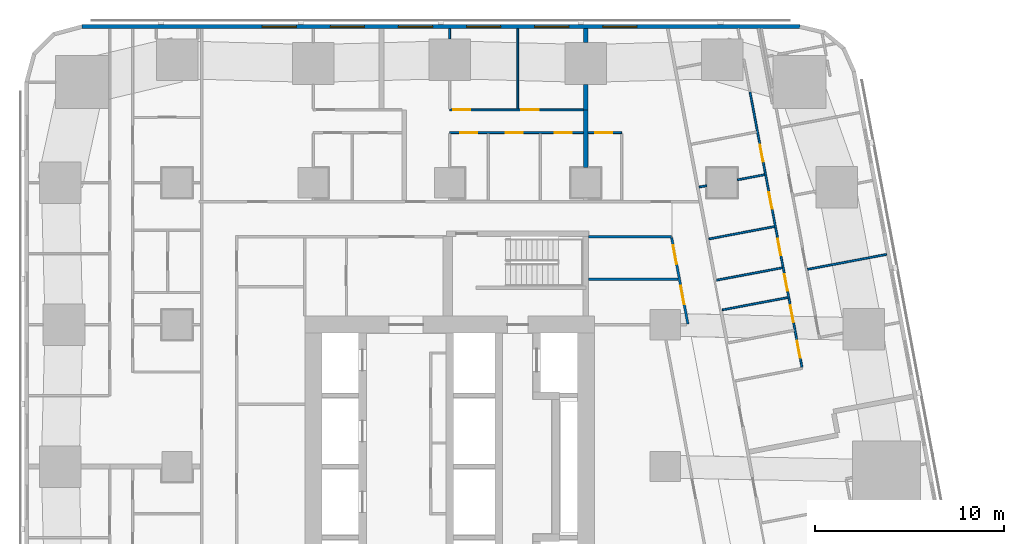
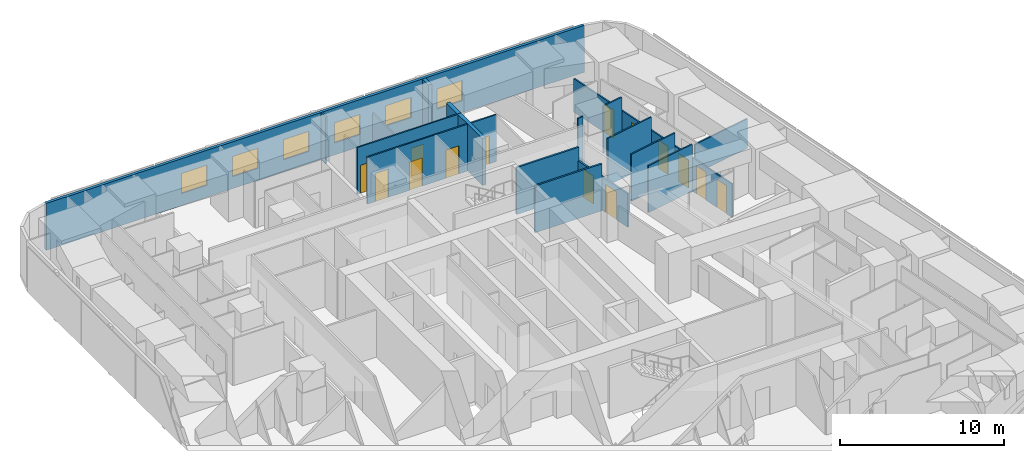
# One storey, part 11 of 17: 19 walls, 14 doors, 6 windows, 20 openings.
"""IFC4 building model written with IfcOpenShell, lengths in metres."""

from ifc_helpers import new_model, si_unit, direction, frame, frame_2d, origin, place, context, subcontext, project, spatial, rectangle, extrude, material, layer, layer_set, type_object, element, fill, save


model = new_model("IFC4")

# Units and contexts
model_context = context("Model", 3, precision=1e-05, world=origin(), true_north=direction((0.0, 1.0)))
body_context = subcontext(model_context, "Body", "Model", "MODEL_VIEW")
ifc_project = project(units=[si_unit("LENGTHUNIT", "METRE"), si_unit("AREAUNIT", "SQUARE_METRE"), si_unit("VOLUMEUNIT", "CUBIC_METRE"), si_unit("PLANEANGLEUNIT", "RADIAN"), si_unit("MASSUNIT", "GRAM", prefix="KILO")], contexts=[model_context])

# Site, building, storey
site_placement = place(None, origin())
site = spatial("IfcSite", under=ifc_project, at=site_placement, CompositionType="ELEMENT")
building_placement = place(site_placement, origin())
building = spatial("IfcBuilding", under=site, at=building_placement, Name="Sheger Commons Tower", CompositionType="ELEMENT")
storey_placement = place(building_placement, frame((0.0, 0.0, 111.64990234375)))
storey = spatial("IfcBuildingStorey", under=building, at=storey_placement, Name="L28", CompositionType="ELEMENT", Elevation=111.64990234375)

# Walls
ifc_material_1 = material(Name="Dense concrete block masonry, plastered both sides (separating wall between flats)", Category="masonry")
ifc_layer_1 = layer(ifc_material_1, 0.25)
ifc_layer_set_1 = layer_set([ifc_layer_1], Name="DEMISING WALL 250")
wall_type_1 = type_object("IfcWallType", Name="DEMISING WALL 250", PredefinedType="SOLIDWALL", material=ifc_layer_set_1)
wall_1_placement = place(storey_placement, frame((28.800048828125, 41.35009765625, 0.0), z_axis=(0.0, 0.0, 1.0), x_axis=(0.0, 1.0, 0.0)))
element("IfcWall", 1, at=wall_1_placement, inside=storey, type_object=wall_type_1, Name="Demising wall L28", PredefinedType="SOLIDWALL", context=body_context, shape_type="SweptSolid", body=[
    extrude(rectangle(XDim=1.348876953125, YDim=0.25, at=frame_2d((0.67431640625, 0.0))), origin(), (0.0, 0.0, 1.0), 3.5),
])
wall_2_placement = place(storey_placement, frame((28.800048828125, 44.90087890625, 0.0), z_axis=(0.0, 0.0, 1.0), x_axis=(0.0, 1.0, 0.0)))
element("IfcWall", 2, at=wall_2_placement, inside=storey, type_object=wall_type_1, Name="Demising wall L28", PredefinedType="SOLIDWALL", context=body_context, shape_type="SweptSolid", body=[
    extrude(rectangle(XDim=0.7490234375, YDim=0.25, at=frame_2d((0.37451171875, 0.0))), origin(), (0.0, 0.0, 1.0), 3.5),
])
wall_3_placement = place(storey_placement, frame((28.800048828125, 38.301025390625, 0.0), z_axis=(0.0, 0.0, 1.0), x_axis=(0.0, 1.0, 0.0)))
element("IfcWall", 3, at=wall_3_placement, inside=storey, type_object=wall_type_1, Name="Demising wall L28", PredefinedType="SOLIDWALL", context=body_context, shape_type="SweptSolid", body=[
    extrude(rectangle(XDim=3.049072265625, YDim=0.25, at=frame_2d((1.5244140625, 0.0))), origin(), (0.0, 0.0, 1.0), 3.5),
])

# Wall, openings, windows
ifc_material_2 = material(Name="Rendered concrete block masonry, dark grey", Category="masonry")
ifc_layer_2 = layer(ifc_material_2, 0.199951171875)
ifc_layer_set_2 = layer_set([ifc_layer_2], Name="FACADE WALL 200")
wall_type_2 = type_object("IfcWallType", Name="FACADE WALL 200", PredefinedType="SOLIDWALL", material=ifc_layer_set_2)
wall_4_placement = place(storey_placement, frame((40.10595703125, 45.75, 0.0), z_axis=(0.0, 0.0, 1.0), x_axis=(-1.0, 0.0, 0.0)))
wall_4 = element("IfcWall", 4, at=wall_4_placement, inside=storey, type_object=wall_type_2, Name="Facade wall L28", PredefinedType="SOLIDWALL", context=body_context, shape_type="SweptSolid", body=[
    extrude(rectangle(XDim=37.94287109375, YDim=0.199951171875, at=frame_2d((18.971435546875, 0.0))), origin(), (0.0, 0.0, 1.0), 3.5),
])
opening_1_placement = place(wall_4_placement, frame((8.60595703125, 0.0, 0.89990234375)))
opening_1 = element("IfcOpeningElement", 5, at=opening_1_placement, cuts=wall_4, Name="Opening W2", PredefinedType="OPENING", context=body_context, shape_type="SweptSolid", body=[
    extrude(rectangle(XDim=1.800048828125, YDim=1.5, at=frame_2d((0.89990234375, 0.75))), frame((0.0, 0.10986328125, 0.0), z_axis=(0.0, -1.0, 0.0), x_axis=(1.0, 0.0, 0.0)), (0.0, 0.0, 1.0), 0.219970703125),
])
opening_2_placement = place(wall_4_placement, frame((12.2060546875, 0.0, 0.89990234375)))
opening_2 = element("IfcOpeningElement", 6, at=opening_2_placement, cuts=wall_4, Name="Opening W2", PredefinedType="OPENING", context=body_context, shape_type="SweptSolid", body=[
    extrude(rectangle(XDim=1.800048828125, YDim=1.5, at=frame_2d((0.89990234375, 0.75))), frame((0.0, 0.10986328125, 0.0), z_axis=(0.0, -1.0, 0.0), x_axis=(1.0, 0.0, 0.0)), (0.0, 0.0, 1.0), 0.219970703125),
])
opening_3_placement = place(wall_4_placement, frame((15.805908203125, 0.0, 0.89990234375)))
opening_3 = element("IfcOpeningElement", 7, at=opening_3_placement, cuts=wall_4, Name="Opening W2", PredefinedType="OPENING", context=body_context, shape_type="SweptSolid", body=[
    extrude(rectangle(XDim=1.800048828125, YDim=1.5, at=frame_2d((0.89990234375, 0.75))), frame((0.0, 0.10986328125, 0.0), z_axis=(0.0, -1.0, 0.0), x_axis=(1.0, 0.0, 0.0)), (0.0, 0.0, 1.0), 0.219970703125),
])
opening_4_placement = place(wall_4_placement, frame((19.406005859375, 0.0, 0.89990234375)))
opening_4 = element("IfcOpeningElement", 8, at=opening_4_placement, cuts=wall_4, Name="Opening W2", PredefinedType="OPENING", context=body_context, shape_type="SweptSolid", body=[
    extrude(rectangle(XDim=1.800048828125, YDim=1.5, at=frame_2d((0.89990234375, 0.75))), frame((0.0, 0.10986328125, 0.0), z_axis=(0.0, -1.0, 0.0), x_axis=(1.0, 0.0, 0.0)), (0.0, 0.0, 1.0), 0.219970703125),
])
opening_5_placement = place(wall_4_placement, frame((23.006103515625, 0.0, 0.89990234375)))
opening_5 = element("IfcOpeningElement", 9, at=opening_5_placement, cuts=wall_4, Name="Opening W2", PredefinedType="OPENING", context=body_context, shape_type="SweptSolid", body=[
    extrude(rectangle(XDim=1.800048828125, YDim=1.5, at=frame_2d((0.89990234375, 0.75))), frame((0.0, 0.10986328125, 0.0), z_axis=(0.0, -1.0, 0.0), x_axis=(1.0, 0.0, 0.0)), (0.0, 0.0, 1.0), 0.219970703125),
])
opening_6_placement = place(wall_4_placement, frame((26.60595703125, 0.0, 0.89990234375)))
opening_6 = element("IfcOpeningElement", 10, at=opening_6_placement, cuts=wall_4, Name="Opening W2", PredefinedType="OPENING", context=body_context, shape_type="SweptSolid", body=[
    extrude(rectangle(XDim=1.800048828125, YDim=1.5, at=frame_2d((0.89990234375, 0.75))), frame((0.0, 0.10986328125, 0.0), z_axis=(0.0, -1.0, 0.0), x_axis=(1.0, 0.0, 0.0)), (0.0, 0.0, 1.0), 0.219970703125),
])
ifc_material_3 = material(Name="Black aluminium frame, dark tinted double glazing", Category="aluminium")
window_type = type_object("IfcWindowType", Name="WINDOW W2 1800x1500", PartitioningType="SINGLE_PANEL", PredefinedType="WINDOW", material=ifc_material_3)
window_1_placement = place(opening_1_placement, origin())
window_1 = element("IfcWindow", 11, at=window_1_placement, inside=storey, type_object=window_type, Name="Window W2 1800X1500", OverallHeight=1.5, OverallWidth=1.800048828125, PartitioningType="SINGLE_PANEL", PredefinedType="WINDOW", context=body_context, shape_type="SweptSolid", body=[
    extrude(rectangle(XDim=1.800048828125, YDim=1.5, at=frame_2d((0.89990234375, 0.75))), frame((0.0, 0.030029296875, 0.0), z_axis=(0.0, -1.0, 0.0), x_axis=(1.0, 0.0, 0.0)), (0.0, 0.0, 1.0), 0.06005859375),
])
fill(opening_1, window_1)
window_2_placement = place(opening_2_placement, origin())
window_2 = element("IfcWindow", 12, at=window_2_placement, inside=storey, type_object=window_type, Name="Window W2 1800X1500", OverallHeight=1.5, OverallWidth=1.800048828125, PartitioningType="SINGLE_PANEL", PredefinedType="WINDOW", context=body_context, shape_type="SweptSolid", body=[
    extrude(rectangle(XDim=1.800048828125, YDim=1.5, at=frame_2d((0.89990234375, 0.75))), frame((0.0, 0.030029296875, 0.0), z_axis=(0.0, -1.0, 0.0), x_axis=(1.0, 0.0, 0.0)), (0.0, 0.0, 1.0), 0.06005859375),
])
fill(opening_2, window_2)
window_3_placement = place(opening_3_placement, origin())
window_3 = element("IfcWindow", 13, at=window_3_placement, inside=storey, type_object=window_type, Name="Window W2 1800X1500", OverallHeight=1.5, OverallWidth=1.800048828125, PartitioningType="SINGLE_PANEL", PredefinedType="WINDOW", context=body_context, shape_type="SweptSolid", body=[
    extrude(rectangle(XDim=1.800048828125, YDim=1.5, at=frame_2d((0.89990234375, 0.75))), frame((0.0, 0.030029296875, 0.0), z_axis=(0.0, -1.0, 0.0), x_axis=(1.0, 0.0, 0.0)), (0.0, 0.0, 1.0), 0.06005859375),
])
fill(opening_3, window_3)
window_4_placement = place(opening_4_placement, origin())
window_4 = element("IfcWindow", 14, at=window_4_placement, inside=storey, type_object=window_type, Name="Window W2 1800X1500", OverallHeight=1.5, OverallWidth=1.800048828125, PartitioningType="SINGLE_PANEL", PredefinedType="WINDOW", context=body_context, shape_type="SweptSolid", body=[
    extrude(rectangle(XDim=1.800048828125, YDim=1.5, at=frame_2d((0.89990234375, 0.75))), frame((0.0, 0.030029296875, 0.0), z_axis=(0.0, -1.0, 0.0), x_axis=(1.0, 0.0, 0.0)), (0.0, 0.0, 1.0), 0.06005859375),
])
fill(opening_4, window_4)
window_5_placement = place(opening_5_placement, origin())
window_5 = element("IfcWindow", 15, at=window_5_placement, inside=storey, type_object=window_type, Name="Window W2 1800X1500", OverallHeight=1.5, OverallWidth=1.800048828125, PartitioningType="SINGLE_PANEL", PredefinedType="WINDOW", context=body_context, shape_type="SweptSolid", body=[
    extrude(rectangle(XDim=1.800048828125, YDim=1.5, at=frame_2d((0.89990234375, 0.75))), frame((0.0, 0.030029296875, 0.0), z_axis=(0.0, -1.0, 0.0), x_axis=(1.0, 0.0, 0.0)), (0.0, 0.0, 1.0), 0.06005859375),
])
fill(opening_5, window_5)
window_6_placement = place(opening_6_placement, origin())
window_6 = element("IfcWindow", 16, at=window_6_placement, inside=storey, type_object=window_type, Name="Window W2 1800X1500", OverallHeight=1.5, OverallWidth=1.800048828125, PartitioningType="SINGLE_PANEL", PredefinedType="WINDOW", context=body_context, shape_type="SweptSolid", body=[
    extrude(rectangle(XDim=1.800048828125, YDim=1.5, at=frame_2d((0.89990234375, 0.75))), frame((0.0, 0.030029296875, 0.0), z_axis=(0.0, -1.0, 0.0), x_axis=(1.0, 0.0, 0.0)), (0.0, 0.0, 1.0), 0.06005859375),
])
fill(opening_6, window_6)

# Wall, openings, doors
ifc_material_4 = material(Name="Gypsum board on steel studs", Category="steel")
ifc_layer_3 = layer(ifc_material_4, 0.10009765625)
ifc_layer_set_3 = layer_set([ifc_layer_3], Name="PARTITION 100")
wall_type_3 = type_object("IfcWallType", Name="PARTITION 100", PredefinedType="PARTITIONING", material=ifc_layer_set_3)
wall_5_placement = place(storey_placement, frame((37.472900390625, 42.30908203125, 0.0), z_axis=(0.0, 0.0, 1.0), x_axis=(0.185583982986, -0.982628406499, 0.0)))
wall_5 = element("IfcWall", 17, at=wall_5_placement, inside=storey, type_object=wall_type_3, Name="Partition L28", PredefinedType="PARTITIONING", context=body_context, shape_type="SweptSolid", body=[
    extrude(rectangle(XDim=14.82470703125, YDim=0.10009765625, at=frame_2d((7.412353515625, 0.0))), origin(), (0.0, 0.0, 1.0), 2.5),
])
opening_7_placement = place(wall_5_placement, frame((13.39990234375, 0.0, 0.0)))
opening_7 = element("IfcOpeningElement", 18, at=opening_7_placement, cuts=wall_5, Name="Opening D2", PredefinedType="OPENING", context=body_context, shape_type="SweptSolid", body=[
    extrude(rectangle(XDim=0.89990234375, YDim=2.10009765625, at=frame_2d((0.449951171875, 1.050048828125))), frame((0.0, 0.06005859375, 0.0), z_axis=(0.0, -1.0, 0.0), x_axis=(1.0, 0.0, 0.0)), (0.0, 0.0, 1.0), 0.1201171875),
])
opening_8_placement = place(wall_5_placement, frame((9.80810546875, 0.0, 0.0)))
opening_8 = element("IfcOpeningElement", 19, at=opening_8_placement, cuts=wall_5, Name="Opening D2", PredefinedType="OPENING", context=body_context, shape_type="SweptSolid", body=[
    extrude(rectangle(XDim=0.89990234375, YDim=2.10009765625, at=frame_2d((0.449951171875, 1.050048828125))), frame((0.0, 0.06005859375, 0.0), z_axis=(0.0, -1.0, 0.0), x_axis=(1.0, 0.0, 0.0)), (0.0, 0.0, 1.0), 0.1201171875),
])
opening_9_placement = place(wall_5_placement, frame((5.39697265625, 0.0, 0.0)))
opening_9 = element("IfcOpeningElement", 20, at=opening_9_placement, cuts=wall_5, Name="Opening D2", PredefinedType="OPENING", context=body_context, shape_type="SweptSolid", body=[
    extrude(rectangle(XDim=0.89990234375, YDim=2.10009765625, at=frame_2d((0.449951171875, 1.050048828125))), frame((0.0, 0.06005859375, 0.0), z_axis=(0.0, -1.0, 0.0), x_axis=(1.0, 0.0, 0.0)), (0.0, 0.0, 1.0), 0.1201171875),
])
opening_10_placement = place(wall_5_placement, frame((2.85302734375, 0.0, 0.0)))
opening_10 = element("IfcOpeningElement", 21, at=opening_10_placement, cuts=wall_5, Name="Opening D2", PredefinedType="OPENING", context=body_context, shape_type="SweptSolid", body=[
    extrude(rectangle(XDim=0.89990234375, YDim=2.10009765625, at=frame_2d((0.449951171875, 1.050048828125))), frame((0.0, 0.06005859375, 0.0), z_axis=(0.0, -1.0, 0.0), x_axis=(1.0, 0.0, 0.0)), (0.0, 0.0, 1.0), 0.1201171875),
])
opening_11_placement = place(wall_5_placement, frame((11.490966796875, 0.0, 0.0)))
opening_11 = element("IfcOpeningElement", 22, at=opening_11_placement, cuts=wall_5, Name="Opening D2", PredefinedType="OPENING", context=body_context, shape_type="SweptSolid", body=[
    extrude(rectangle(XDim=0.89990234375, YDim=2.10009765625, at=frame_2d((0.449951171875, 1.050048828125))), frame((0.0, 0.06005859375, 0.0), z_axis=(0.0, -1.0, 0.0), x_axis=(1.0, 0.0, 0.0)), (0.0, 0.0, 1.0), 0.1201171875),
])
opening_12_placement = place(wall_5_placement, frame((7.89990234375, 0.0, 0.0)))
opening_12 = element("IfcOpeningElement", 23, at=opening_12_placement, cuts=wall_5, Name="Opening D2", PredefinedType="OPENING", context=body_context, shape_type="SweptSolid", body=[
    extrude(rectangle(XDim=0.89990234375, YDim=2.10009765625, at=frame_2d((0.449951171875, 1.050048828125))), frame((0.0, 0.06005859375, 0.0), z_axis=(0.0, -1.0, 0.0), x_axis=(1.0, 0.0, 0.0)), (0.0, 0.0, 1.0), 0.1201171875),
])
ifc_material_5 = material(Name="Timber door set", Category="wood")
door_type_1 = type_object("IfcDoorType", Name="INTERNAL DOOR 900x2100", OperationType="NOTDEFINED", PredefinedType="DOOR", material=ifc_material_5)
door_1_placement = place(opening_7_placement, origin())
door_1 = element("IfcDoor", 24, at=door_1_placement, inside=storey, type_object=door_type_1, Name="Bathroom door", OperationType="SINGLE_SWING_LEFT", OverallHeight=2.10009765625, OverallWidth=0.89990234375, PredefinedType="DOOR", context=body_context, shape_type="SweptSolid", body=[
    extrude(rectangle(XDim=0.89990234375, YDim=2.10009765625, at=frame_2d((0.449951171875, 1.050048828125))), frame((0.0, 0.02490234375, 0.0), z_axis=(0.0, -1.0, 0.0), x_axis=(1.0, 0.0, 0.0)), (0.0, 0.0, 1.0), 0.050048828125),
])
fill(opening_7, door_1)
door_2_placement = place(opening_8_placement, origin())
door_2 = element("IfcDoor", 25, at=door_2_placement, inside=storey, type_object=door_type_1, Name="Shower room door", OperationType="SINGLE_SWING_LEFT", OverallHeight=2.10009765625, OverallWidth=0.89990234375, PredefinedType="DOOR", context=body_context, shape_type="SweptSolid", body=[
    extrude(rectangle(XDim=0.89990234375, YDim=2.10009765625, at=frame_2d((0.449951171875, 1.050048828125))), frame((0.0, 0.02490234375, 0.0), z_axis=(0.0, -1.0, 0.0), x_axis=(1.0, 0.0, 0.0)), (0.0, 0.0, 1.0), 0.050048828125),
])
fill(opening_8, door_2)
door_3_placement = place(opening_9_placement, origin())
door_3 = element("IfcDoor", 26, at=door_3_placement, inside=storey, type_object=door_type_1, Name="Store and laundry door", OperationType="SINGLE_SWING_LEFT", OverallHeight=2.10009765625, OverallWidth=0.89990234375, PredefinedType="DOOR", context=body_context, shape_type="SweptSolid", body=[
    extrude(rectangle(XDim=0.89990234375, YDim=2.10009765625, at=frame_2d((0.449951171875, 1.050048828125))), frame((0.0, 0.02490234375, 0.0), z_axis=(0.0, -1.0, 0.0), x_axis=(1.0, 0.0, 0.0)), (0.0, 0.0, 1.0), 0.050048828125),
])
fill(opening_9, door_3)
door_4_placement = place(opening_10_placement, origin())
door_4 = element("IfcDoor", 27, at=door_4_placement, inside=storey, type_object=door_type_1, Name="Store and laundry door", OperationType="SINGLE_SWING_RIGHT", OverallHeight=2.10009765625, OverallWidth=0.89990234375, PredefinedType="DOOR", context=body_context, shape_type="SweptSolid", body=[
    extrude(rectangle(XDim=0.89990234375, YDim=2.10009765625, at=frame_2d((0.449951171875, 1.050048828125))), frame((0.0, 0.02490234375, 0.0), z_axis=(0.0, -1.0, 0.0), x_axis=(1.0, 0.0, 0.0)), (0.0, 0.0, 1.0), 0.050048828125),
])
fill(opening_10, door_4)
door_5_placement = place(opening_11_placement, origin())
door_5 = element("IfcDoor", 28, at=door_5_placement, inside=storey, type_object=door_type_1, Name="Store door", OperationType="SINGLE_SWING_RIGHT", OverallHeight=2.10009765625, OverallWidth=0.89990234375, PredefinedType="DOOR", context=body_context, shape_type="SweptSolid", body=[
    extrude(rectangle(XDim=0.89990234375, YDim=2.10009765625, at=frame_2d((0.449951171875, 1.050048828125))), frame((0.0, 0.02490234375, 0.0), z_axis=(0.0, -1.0, 0.0), x_axis=(1.0, 0.0, 0.0)), (0.0, 0.0, 1.0), 0.050048828125),
])
fill(opening_11, door_5)
door_6_placement = place(opening_12_placement, origin())
door_6 = element("IfcDoor", 29, at=door_6_placement, inside=storey, type_object=door_type_1, Name="Store door", OperationType="SINGLE_SWING_RIGHT", OverallHeight=2.10009765625, OverallWidth=0.89990234375, PredefinedType="DOOR", context=body_context, shape_type="SweptSolid", body=[
    extrude(rectangle(XDim=0.89990234375, YDim=2.10009765625, at=frame_2d((0.449951171875, 1.050048828125))), frame((0.0, 0.02490234375, 0.0), z_axis=(0.0, -1.0, 0.0), x_axis=(1.0, 0.0, 0.0)), (0.0, 0.0, 1.0), 0.050048828125),
])
fill(opening_12, door_6)

# Walls
wall_6_placement = place(storey_placement, frame((44.693115234375, 33.712890625, 0.0), z_axis=(0.0, 0.0, 1.0), x_axis=(-0.982623519589, -0.185609856287, 0.0)))
element("IfcWall", 30, at=wall_6_placement, inside=storey, type_object=wall_type_3, Name="Partition L28", PredefinedType="PARTITIONING", context=body_context, shape_type="SweptSolid", body=[
    extrude(rectangle(XDim=4.249755859375, YDim=0.10009765625, at=frame_2d((2.125, 0.0))), origin(), (0.0, 0.0, 1.0), 2.2001953125),
])
wall_7_placement = place(storey_placement, frame((38.25, 37.925048828125, 0.0), z_axis=(0.0, 0.0, 1.0), x_axis=(-0.982626127294, -0.185596050493, 0.0)))
element("IfcWall", 31, at=wall_7_placement, inside=storey, type_object=wall_type_3, Name="Partition L28", PredefinedType="PARTITIONING", context=body_context, shape_type="SweptSolid", body=[
    extrude(rectangle(XDim=1.46533203125, YDim=0.10009765625, at=frame_2d((0.732666015625, 0.0))), origin(), (0.0, 0.0, 1.0), 3.5),
])
wall_8_placement = place(storey_placement, frame((35.18994140625, 37.346923828125, 0.0), z_axis=(0.0, 0.0, 1.0), x_axis=(-0.982798158448, -0.184682916784, 0.0)))
element("IfcWall", 32, at=wall_8_placement, inside=storey, type_object=wall_type_3, Name="Partition L28", PredefinedType="PARTITIONING", context=body_context, shape_type="SweptSolid", body=[
    extrude(rectangle(XDim=0.4111328125, YDim=0.10009765625, at=frame_2d((0.20556640625, 0.0))), origin(), (0.0, 0.0, 1.0), 3.5),
])
for number, where, z_axis, x_axis, name in (
    (33, (39.47607421875, 31.43408203125, 0.0), (0.0, 0.0, 1.0), (-0.982638553676, -0.185530247748, 0.0), "Partition L28"),
    (34, (38.76806640625, 35.18408203125, 0.0), (0.0, 0.0, 1.0), (-0.982588017646, -0.185797706064, 0.0), "Partition L28"),
):
    element("IfcWall", number, at=place(storey_placement, frame(where, z_axis=z_axis, x_axis=x_axis)), inside=storey, type_object=wall_type_3, Name=name, PredefinedType="PARTITIONING", context=body_context, shape_type="SweptSolid", body=[
        extrude(rectangle(XDim=3.525390625, YDim=0.10009765625, at=frame_2d((1.7626953125, 0.0))), origin(), (0.0, 0.0, 1.0), 3.5),
    ])
wall_9_placement = place(storey_placement, frame((39.178955078125, 33.006103515625, 0.0), z_axis=(0.0, 0.0, 1.0), x_axis=(-0.982636169624, -0.185542874149, 0.0)))
element("IfcWall", 35, at=wall_9_placement, inside=storey, type_object=wall_type_3, Name="Partition L28", PredefinedType="PARTITIONING", context=body_context, shape_type="SweptSolid", body=[
    extrude(rectangle(XDim=3.525146484375, YDim=0.10009765625, at=frame_2d((1.7626953125, 0.0))), origin(), (0.0, 0.0, 1.0), 3.5),
])

# Wall, openings, doors
wall_10_placement = place(storey_placement, frame((21.60009765625, 41.35009765625, 0.0), z_axis=(0.0, 0.0, 1.0), x_axis=(1.0, 0.0, 0.0)))
wall_10 = element("IfcWall", 36, at=wall_10_placement, inside=storey, type_object=wall_type_3, Name="Partition L28", PredefinedType="PARTITIONING", context=body_context, shape_type="SweptSolid", body=[
    extrude(rectangle(XDim=7.074951171875, YDim=0.10009765625, at=frame_2d((3.53759765625, 0.0))), origin(), (0.0, 0.0, 1.0), 3.5),
])
opening_13_placement = place(wall_10_placement, frame((0.199951171875, 0.0, 0.0)))
opening_13 = element("IfcOpeningElement", 37, at=opening_13_placement, cuts=wall_10, Name="Opening D2", PredefinedType="OPENING", context=body_context, shape_type="SweptSolid", body=[
    extrude(rectangle(XDim=0.89990234375, YDim=2.10009765625, at=frame_2d((0.449951171875, 1.050048828125))), frame((0.0, 0.06005859375, 0.0), z_axis=(0.0, -1.0, 0.0), x_axis=(1.0, 0.0, 0.0)), (0.0, 0.0, 1.0), 0.1201171875),
])
opening_14_placement = place(wall_10_placement, frame((3.800048828125, 0.0, 0.0)))
opening_14 = element("IfcOpeningElement", 38, at=opening_14_placement, cuts=wall_10, Name="Opening D2", PredefinedType="OPENING", context=body_context, shape_type="SweptSolid", body=[
    extrude(rectangle(XDim=0.89990234375, YDim=2.10009765625, at=frame_2d((0.449951171875, 1.050048828125))), frame((0.0, 0.06005859375, 0.0), z_axis=(0.0, -1.0, 0.0), x_axis=(1.0, 0.0, 0.0)), (0.0, 0.0, 1.0), 0.1201171875),
])
door_7_placement = place(opening_13_placement, origin())
door_7 = element("IfcDoor", 39, at=door_7_placement, inside=storey, type_object=door_type_1, Name="Main bedroom door", OperationType="SINGLE_SWING_LEFT", OverallHeight=2.10009765625, OverallWidth=0.89990234375, PredefinedType="DOOR", context=body_context, shape_type="SweptSolid", body=[
    extrude(rectangle(XDim=0.89990234375, YDim=2.10009765625, at=frame_2d((0.449951171875, 1.050048828125))), frame((0.0, 0.02490234375, 0.0), z_axis=(0.0, -1.0, 0.0), x_axis=(1.0, 0.0, 0.0)), (0.0, 0.0, 1.0), 0.050048828125),
])
fill(opening_13, door_7)
door_8_placement = place(opening_14_placement, origin())
door_8 = element("IfcDoor", 40, at=door_8_placement, inside=storey, type_object=door_type_1, Name="Bedroom 2 door", OperationType="SINGLE_SWING_LEFT", OverallHeight=2.10009765625, OverallWidth=0.89990234375, PredefinedType="DOOR", context=body_context, shape_type="SweptSolid", body=[
    extrude(rectangle(XDim=0.89990234375, YDim=2.10009765625, at=frame_2d((0.449951171875, 1.050048828125))), frame((0.0, 0.02490234375, 0.0), z_axis=(0.0, -1.0, 0.0), x_axis=(1.0, 0.0, 0.0)), (0.0, 0.0, 1.0), 0.050048828125),
])
fill(opening_14, door_8)

wall_11_placement = place(storey_placement, frame((21.60009765625, 40.14990234375, 0.0), z_axis=(0.0, 0.0, 1.0), x_axis=(1.0, 0.0, 0.0)))
wall_11 = element("IfcWall", 41, at=wall_11_placement, inside=storey, type_object=wall_type_3, Name="Partition L28", PredefinedType="PARTITIONING", context=body_context, shape_type="SweptSolid", body=[
    extrude(rectangle(XDim=7.074951171875, YDim=0.10009765625, at=frame_2d((3.53759765625, 0.0))), origin(), (0.0, 0.0, 1.0), 3.5),
])
opening_15_placement = place(wall_11_placement, frame((0.574951171875, 0.0, 0.0)))
opening_15 = element("IfcOpeningElement", 42, at=opening_15_placement, cuts=wall_11, Name="Opening D2", PredefinedType="OPENING", context=body_context, shape_type="SweptSolid", body=[
    extrude(rectangle(XDim=0.89990234375, YDim=2.10009765625, at=frame_2d((0.449951171875, 1.050048828125))), frame((0.0, 0.06005859375, 0.0), z_axis=(0.0, -1.0, 0.0), x_axis=(1.0, 0.0, 0.0)), (0.0, 0.0, 1.0), 0.1201171875),
])
opening_16_placement = place(wall_11_placement, frame((5.549072265625, 0.0, 0.0)))
opening_16 = element("IfcOpeningElement", 43, at=opening_16_placement, cuts=wall_11, Name="Opening D2", PredefinedType="OPENING", context=body_context, shape_type="SweptSolid", body=[
    extrude(rectangle(XDim=0.89990234375, YDim=2.10009765625, at=frame_2d((0.449951171875, 1.050048828125))), frame((0.0, 0.06005859375, 0.0), z_axis=(0.0, -1.0, 0.0), x_axis=(1.0, 0.0, 0.0)), (0.0, 0.0, 1.0), 0.1201171875),
])
opening_17_placement = place(wall_11_placement, frame((2.97412109375, 0.0, 0.0)))
opening_17 = element("IfcOpeningElement", 44, at=opening_17_placement, cuts=wall_11, Name="Opening D2", PredefinedType="OPENING", context=body_context, shape_type="SweptSolid", body=[
    extrude(rectangle(XDim=0.89990234375, YDim=2.10009765625, at=frame_2d((0.449951171875, 1.050048828125))), frame((0.0, 0.06005859375, 0.0), z_axis=(0.0, -1.0, 0.0), x_axis=(1.0, 0.0, 0.0)), (0.0, 0.0, 1.0), 0.1201171875),
])
door_9_placement = place(opening_15_placement, origin())
door_9 = element("IfcDoor", 45, at=door_9_placement, inside=storey, type_object=door_type_1, Name="Bathroom door", OperationType="SINGLE_SWING_RIGHT", OverallHeight=2.10009765625, OverallWidth=0.89990234375, PredefinedType="DOOR", context=body_context, shape_type="SweptSolid", body=[
    extrude(rectangle(XDim=0.89990234375, YDim=2.10009765625, at=frame_2d((0.449951171875, 1.050048828125))), frame((0.0, 0.02490234375, 0.0), z_axis=(0.0, -1.0, 0.0), x_axis=(1.0, 0.0, 0.0)), (0.0, 0.0, 1.0), 0.050048828125),
])
fill(opening_15, door_9)
door_10_placement = place(opening_16_placement, origin())
door_10 = element("IfcDoor", 46, at=door_10_placement, inside=storey, type_object=door_type_1, Name="Laundry room door", OperationType="SINGLE_SWING_LEFT", OverallHeight=2.10009765625, OverallWidth=0.89990234375, PredefinedType="DOOR", context=body_context, shape_type="SweptSolid", body=[
    extrude(rectangle(XDim=0.89990234375, YDim=2.10009765625, at=frame_2d((0.449951171875, 1.050048828125))), frame((0.0, 0.02490234375, 0.0), z_axis=(0.0, -1.0, 0.0), x_axis=(1.0, 0.0, 0.0)), (0.0, 0.0, 1.0), 0.050048828125),
])
fill(opening_16, door_10)
door_11_placement = place(opening_17_placement, origin())
door_11 = element("IfcDoor", 47, at=door_11_placement, inside=storey, type_object=door_type_1, Name="Store door", OperationType="SINGLE_SWING_LEFT", OverallHeight=2.10009765625, OverallWidth=0.89990234375, PredefinedType="DOOR", context=body_context, shape_type="SweptSolid", body=[
    extrude(rectangle(XDim=0.89990234375, YDim=2.10009765625, at=frame_2d((0.449951171875, 1.050048828125))), frame((0.0, 0.02490234375, 0.0), z_axis=(0.0, -1.0, 0.0), x_axis=(1.0, 0.0, 0.0)), (0.0, 0.0, 1.0), 0.050048828125),
])
fill(opening_17, door_11)

# Walls
wall_12_placement = place(storey_placement, frame((21.60009765625, 45.10107421875, 0.0), z_axis=(0.0, 0.0, 1.0), x_axis=(0.0, 1.0, 0.0)))
element("IfcWall", 48, at=wall_12_placement, inside=storey, type_object=wall_type_3, Name="Partition L28", PredefinedType="PARTITIONING", context=body_context, shape_type="SweptSolid", body=[
    extrude(rectangle(XDim=0.548828125, YDim=0.10009765625, at=frame_2d((0.2744140625, 0.0))), origin(), (0.0, 0.0, 1.0), 3.5),
])
wall_13_placement = place(storey_placement, frame((25.199951171875, 41.39990234375, 0.0), z_axis=(0.0, 0.0, 1.0), x_axis=(0.0, 1.0, 0.0)))
element("IfcWall", 49, at=wall_13_placement, inside=storey, type_object=wall_type_3, Name="Partition L28", PredefinedType="PARTITIONING", context=body_context, shape_type="SweptSolid", body=[
    extrude(rectangle(XDim=4.25, YDim=0.10009765625, at=frame_2d((2.125, 0.0))), origin(), (0.0, 0.0, 1.0), 2.2001953125),
])

# Wall, opening, door
wall_14_placement = place(storey_placement, frame((28.925048828125, 40.14990234375, 0.0), z_axis=(0.0, 0.0, 1.0), x_axis=(1.0, 0.0, 0.0)))
wall_14 = element("IfcWall", 50, at=wall_14_placement, inside=storey, type_object=wall_type_3, Name="Partition L28", PredefinedType="PARTITIONING", context=body_context, shape_type="SweptSolid", body=[
    extrude(rectangle(XDim=1.764892578125, YDim=0.10009765625, at=frame_2d((0.88232421875, 0.0))), origin(), (0.0, 0.0, 1.0), 3.5),
])
opening_18_placement = place(wall_14_placement, frame((0.375, 0.0, 0.0)))
opening_18 = element("IfcOpeningElement", 51, at=opening_18_placement, cuts=wall_14, Name="Opening D2", PredefinedType="OPENING", context=body_context, shape_type="SweptSolid", body=[
    extrude(rectangle(XDim=0.89990234375, YDim=2.10009765625, at=frame_2d((0.449951171875, 1.050048828125))), frame((0.0, 0.06005859375, 0.0), z_axis=(0.0, -1.0, 0.0), x_axis=(1.0, 0.0, 0.0)), (0.0, 0.0, 1.0), 0.1201171875),
])
door_12_placement = place(opening_18_placement, origin())
door_12 = element("IfcDoor", 52, at=door_12_placement, inside=storey, type_object=door_type_1, Name="Shower room door", OperationType="SINGLE_SWING_RIGHT", OverallHeight=2.10009765625, OverallWidth=0.89990234375, PredefinedType="DOOR", context=body_context, shape_type="SweptSolid", body=[
    extrude(rectangle(XDim=0.89990234375, YDim=2.10009765625, at=frame_2d((0.449951171875, 1.050048828125))), frame((0.0, 0.02490234375, 0.0), z_axis=(0.0, -1.0, 0.0), x_axis=(1.0, 0.0, 0.0)), (0.0, 0.0, 1.0), 0.050048828125),
])
fill(opening_18, door_12)

# Wall
ifc_material_6 = material(Name="Gypsum board on steel studs, two layers each side, fire rated", Category="steel")
ifc_layer_4 = layer(ifc_material_6, 0.125)
ifc_layer_set_4 = layer_set([ifc_layer_4], Name="SERVICE WALL 125")
wall_type_4 = type_object("IfcWallType", Name="SERVICE WALL 125", PredefinedType="PARTITIONING", material=ifc_layer_set_4)
wall_15_placement = place(storey_placement, frame((28.949951171875, 34.64990234375, 0.0), z_axis=(0.0, 0.0, 1.0), x_axis=(1.0, 0.0, 0.0)))
element("IfcWall", 53, at=wall_15_placement, inside=storey, type_object=wall_type_4, Name="Service room wall L28", PredefinedType="PARTITIONING", context=body_context, shape_type="SweptSolid", body=[
    extrude(rectangle(XDim=4.381103515625, YDim=0.125, at=frame_2d((2.1904296875, 0.0))), origin(), (0.0, 0.0, 1.0), 3.5),
])

# Wall, openings, doors
wall_16_placement = place(storey_placement, frame((34.193115234375, 30.0400390625, 0.0), z_axis=(0.0, 0.0, 1.0), x_axis=(-0.185626015863, 0.982620467034, 0.0)))
wall_16 = element("IfcWall", 54, at=wall_16_placement, inside=storey, type_object=wall_type_4, Name="Service room wall L28", PredefinedType="PARTITIONING", context=body_context, shape_type="SweptSolid", body=[
    extrude(rectangle(XDim=4.628173828125, YDim=0.125, at=frame_2d((2.31396484375, 0.0))), origin(), (0.0, 0.0, 1.0), 2.5),
])
opening_19_placement = place(wall_16_placement, frame((1.050048828125, 0.0, 0.0)))
opening_19 = element("IfcOpeningElement", 55, at=opening_19_placement, cuts=wall_16, Name="Opening D4", PredefinedType="OPENING", context=body_context, shape_type="SweptSolid", body=[
    extrude(rectangle(XDim=1.0, YDim=2.10009765625, at=frame_2d((0.5, 1.050048828125))), frame((0.0, 0.072509765625, 0.0), z_axis=(0.0, -1.0, 0.0), x_axis=(1.0, 0.0, 0.0)), (0.0, 0.0, 1.0), 0.14501953125),
])
opening_20_placement = place(wall_16_placement, frame((3.22509765625, 0.0, 0.0)))
opening_20 = element("IfcOpeningElement", 56, at=opening_20_placement, cuts=wall_16, Name="Opening D4", PredefinedType="OPENING", context=body_context, shape_type="SweptSolid", body=[
    extrude(rectangle(XDim=1.0, YDim=2.10009765625, at=frame_2d((0.5, 1.050048828125))), frame((0.0, 0.072509765625, 0.0), z_axis=(0.0, -1.0, 0.0), x_axis=(1.0, 0.0, 0.0)), (0.0, 0.0, 1.0), 0.14501953125),
])
ifc_material_7 = material(Name="Steel door set, fire rated", Category="steel")
door_type_2 = type_object("IfcDoorType", Name="SERVICE DOOR 1000x2100", OperationType="NOTDEFINED", PredefinedType="DOOR", material=ifc_material_7)
door_13_placement = place(opening_19_placement, origin())
door_13 = element("IfcDoor", 57, at=door_13_placement, inside=storey, type_object=door_type_2, Name="Linen store door", OperationType="SINGLE_SWING_RIGHT", OverallHeight=2.10009765625, OverallWidth=1.0, PredefinedType="DOOR", context=body_context, shape_type="SweptSolid", body=[
    extrude(rectangle(XDim=1.0, YDim=2.10009765625, at=frame_2d((0.5, 1.050048828125))), frame((0.0, 0.02490234375, 0.0), z_axis=(0.0, -1.0, 0.0), x_axis=(1.0, 0.0, 0.0)), (0.0, 0.0, 1.0), 0.050048828125),
])
fill(opening_19, door_13)
door_14_placement = place(opening_20_placement, origin())
door_14 = element("IfcDoor", 58, at=door_14_placement, inside=storey, type_object=door_type_2, Name="Cleaner's store door", OperationType="SINGLE_SWING_RIGHT", OverallHeight=2.10009765625, OverallWidth=1.0, PredefinedType="DOOR", context=body_context, shape_type="SweptSolid", body=[
    extrude(rectangle(XDim=1.0, YDim=2.10009765625, at=frame_2d((0.5, 1.050048828125))), frame((0.0, 0.02490234375, 0.0), z_axis=(0.0, -1.0, 0.0), x_axis=(1.0, 0.0, 0.0)), (0.0, 0.0, 1.0), 0.050048828125),
])
fill(opening_20, door_14)

# Wall
wall_17_placement = place(storey_placement, frame((28.949951171875, 32.39990234375, 0.0), z_axis=(0.0, 0.0, 1.0), x_axis=(1.0, 0.0, 0.0)))
element("IfcWall", 59, at=wall_17_placement, inside=storey, type_object=wall_type_4, Name="Service room wall L28", PredefinedType="PARTITIONING", context=body_context, shape_type="SweptSolid", body=[
    extrude(rectangle(XDim=4.72216796875, YDim=0.125, at=frame_2d((2.361083984375, 0.0))), origin(), (0.0, 0.0, 1.0), 3.5),
])

save(model, "model.ifc")
